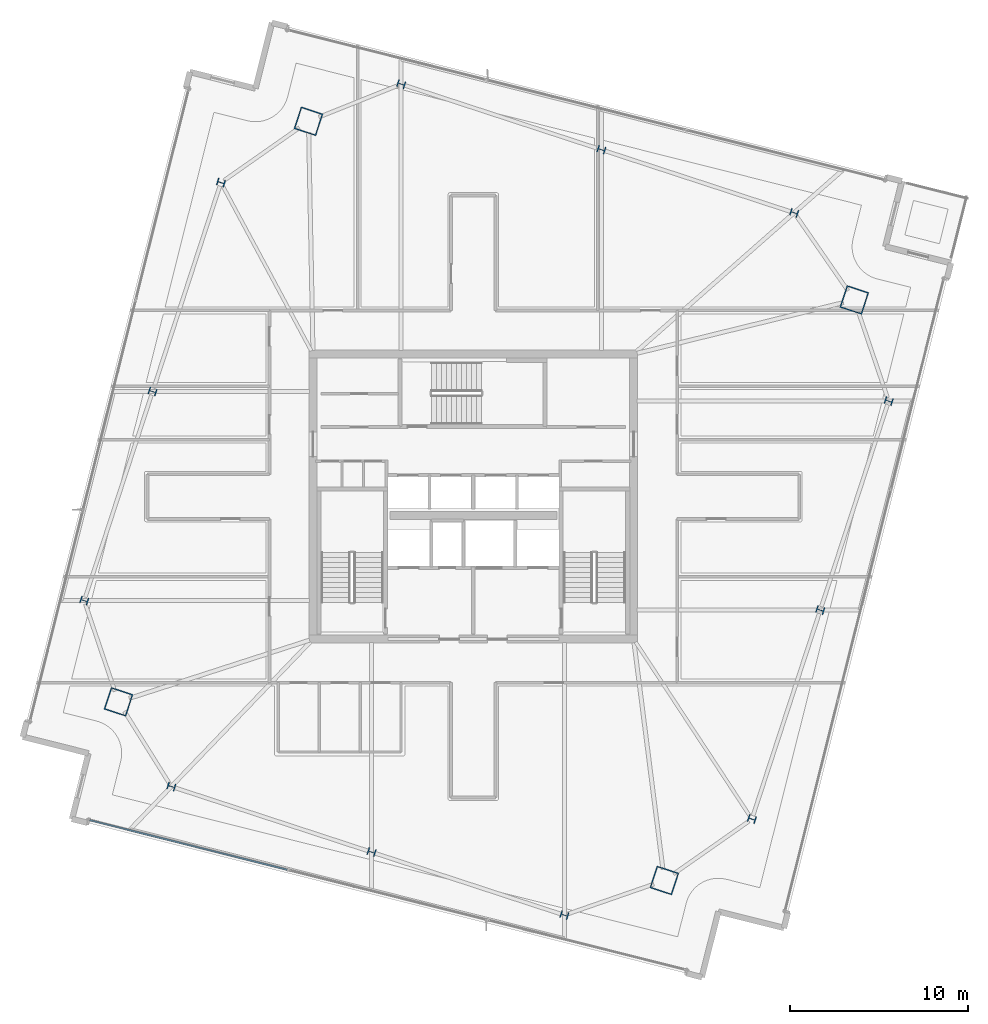
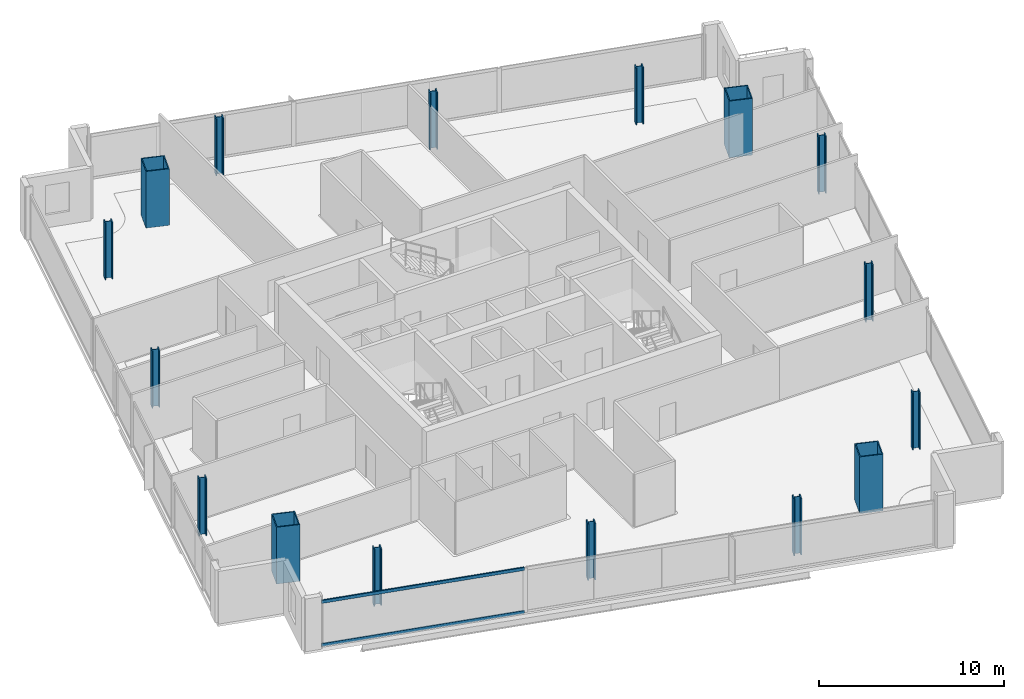
# One storey, part 1 of 28: 16 columns, 2 members, 1 element without a shape of its own.
"""IFC4 building model written with IfcOpenShell, lengths in metres."""

import ifcopenshell
import ifcopenshell.guid

model = None  # the IFC model being written
_history = None  # IfcOwnerHistory: only IFC2X3 demands one
_inside = {}  # id of a spatial element -> (the spatial element, [elements in it])
_under = {}  # id of a project, library or spatial element -> (it, [spatial elements below it])
_declared = {}  # id of a project -> (the project, [libraries it declares])
_typed = {}  # id of a type object -> (the type object, [elements of that type])
_made_of = {}  # id of a material, layer set ... -> (it, [elements and type objects made of it])


def new_model(schema):
    """Start an empty IFC model of exactly this schema.

    Asked for "IFC4X3", IfcOpenShell would pick the latest addendum, in which some entities
    have other attributes; the version numbers below select the first issue.
    IFC2X3 requires an IfcOwnerHistory on every rooted entity: one is made here for all.
    """
    global model, _history
    if schema == "IFC4X3":
        model = ifcopenshell.file(schema_version=(4, 3, 0, 0))
    else:
        model = ifcopenshell.file(schema=schema)
    _inside.clear()
    _under.clear()
    _declared.clear()
    _typed.clear()
    _made_of.clear()
    _history = None
    if model.schema == "IFC2X3":
        org = make("IfcOrganization", Name="unknown")
        user = make(
            "IfcPersonAndOrganization",
            ThePerson=make("IfcPerson", FamilyName="unknown"),
            TheOrganization=org,
        )
        app = make(
            "IfcApplication",
            ApplicationDeveloper=org,
            Version="unknown",
            ApplicationFullName="unknown",
            ApplicationIdentifier="unknown",
        )
        _history = make(
            "IfcOwnerHistory",
            OwningUser=user,
            OwningApplication=app,
            ChangeAction="ADDED",
            CreationDate=0,
        )
    return model


def make(cls, **values):
    """One entity of the class cls with the attributes given. An attribute that is None is left unset."""
    return model.create_entity(
        cls, **{name: value for name, value in values.items() if value is not None}
    )


def rooted(cls, **values):
    """An entity with a GlobalId (a new one), such as an element, a storey or a relation."""
    return make(cls, GlobalId=ifcopenshell.guid.new(), OwnerHistory=_history, **values)


def si_unit(unit_type, name, prefix=None):
    """IfcSIUnit, for example si_unit("LENGTHUNIT", "METRE", prefix="MILLI")."""
    return make("IfcSIUnit", UnitType=unit_type, Prefix=prefix, Name=name)


def assignment(units):
    """IfcUnitAssignment: the units of a project."""
    return None if units is None else make("IfcUnitAssignment", Units=units)


def point(xyz):
    """IfcCartesianPoint."""
    return None if xyz is None else make("IfcCartesianPoint", Coordinates=xyz)


def direction(xyz):
    """IfcDirection."""
    return None if xyz is None else make("IfcDirection", DirectionRatios=xyz)


def frame(location, z_axis=None, x_axis=None):
    """IfcAxis2Placement3D, a coordinate frame: its origin and axes. An axis left out is left unset."""
    return make(
        "IfcAxis2Placement3D",
        Location=point(location),
        Axis=direction(z_axis),
        RefDirection=direction(x_axis),
    )


def frame_2d(location, x_axis=None):
    """IfcAxis2Placement2D, a coordinate frame in the plane: its origin and x axis."""
    return make(
        "IfcAxis2Placement2D", Location=point(location), RefDirection=direction(x_axis)
    )


def origin():
    """The frame at (0, 0, 0) with its axes left unset."""
    return frame((0.0, 0.0, 0.0))


def origin_2d():
    """The frame at (0, 0) in the plane with its x axis left unset."""
    return frame_2d((0.0, 0.0))


def place(relative_to, where):
    """IfcLocalPlacement: puts the frame where relative to a parent placement (None: the world)."""
    return make(
        "IfcLocalPlacement", PlacementRelTo=relative_to, RelativePlacement=where
    )


def context(
    kind, dimensions, precision=None, world=None, true_north=None, identifier=None
):
    """IfcGeometricRepresentationContext, for example the 3D "Model" context."""
    return make(
        "IfcGeometricRepresentationContext",
        ContextIdentifier=identifier,
        ContextType=kind,
        CoordinateSpaceDimension=dimensions,
        Precision=precision,
        WorldCoordinateSystem=world,
        TrueNorth=true_north,
    )


def subcontext(parent, identifier, kind, view, scale=None):
    """IfcGeometricRepresentationSubContext, for example "Body" below "Model"."""
    return make(
        "IfcGeometricRepresentationSubContext",
        ContextIdentifier=identifier,
        ContextType=kind,
        ParentContext=parent,
        TargetScale=scale,
        TargetView=view,
    )


def project(units=None, contexts=None):
    """IfcProject with its units and contexts."""
    return rooted(
        "IfcProject",
        Name="project",
        RepresentationContexts=contexts,
        UnitsInContext=assignment(units),
    )


def spatial(cls, under=None, at=None, **own):
    """A site, building, storey or space (cls), placed at a placement, below another one or the project."""
    s = rooted(cls, ObjectPlacement=at, **own)
    if under is not None:
        _under.setdefault(under.id(), (under, []))[1].append(s)
    return s


def profile(cls, at=None, kind="AREA", **sizes):
    """A parametric profile (cls). Its sizes go by their IFC names, for example OverallWidth=200.0."""
    return make(cls, ProfileType=kind, Position=at, **sizes)


def hollow_rectangle(**sizes):
    """IfcRectangleHollowProfileDef."""
    return profile("IfcRectangleHollowProfileDef", **sizes)


def i_section(**sizes):
    """IfcIShapeProfileDef."""
    return profile("IfcIShapeProfileDef", **sizes)


def extrude(swept, where, along, depth):
    """IfcExtrudedAreaSolid: the profile swept, set in the frame where, extruded along a direction by depth."""
    return make(
        "IfcExtrudedAreaSolid",
        SweptArea=swept,
        Position=where,
        ExtrudedDirection=direction(along),
        Depth=depth,
    )


def shape(context_of_items, identifier, shape_type, items):
    """IfcShapeRepresentation: the items that make up one representation, for example the "Body"."""
    return make(
        "IfcShapeRepresentation",
        ContextOfItems=context_of_items,
        RepresentationIdentifier=identifier,
        RepresentationType=shape_type,
        Items=items,
    )


def material(Name=None, Category=None):
    """IfcMaterial."""
    return make("IfcMaterial", Name=Name, Category=Category)


def material_profile(
    of_material, cross_section, Name=None, Category=None, Priority=None
):
    """IfcMaterialProfile: a cross section and its material."""
    return make(
        "IfcMaterialProfile",
        Name=Name,
        Material=of_material,
        Profile=cross_section,
        Priority=Priority,
        Category=Category,
    )


def profile_set(profiles, Name=None, composite=None):
    """IfcMaterialProfileSet."""
    return make(
        "IfcMaterialProfileSet",
        Name=Name,
        MaterialProfiles=profiles,
        CompositeProfile=composite,
    )


def made_of(thing, what):
    """Note that an element or type object is made of a material, layer set ...; save() writes the relation."""
    if what is not None:
        _made_of.setdefault(what.id(), (what, []))[1].append(thing)
    return thing


def type_object(cls, material=None, **own):
    """A type object (cls), such as IfcWallType, which elements share."""
    return made_of(rooted(cls, **own), material)


def element(
    cls,
    number,
    at=None,
    inside=None,
    cuts=None,
    type_object=None,
    material=None,
    context=None,
    identifier="Body",
    shape_type=None,
    held_by="IfcProductDefinitionShape",
    body=None,
    shapes=None,
    **own,
):
    """One element of the class cls, such as IfcWall. Its Tag is "e" and its number.

    at: its placement. inside: the storey or other place that contains it. cuts: it is an
    opening in that element (IfcRelVoidsElement). A single representation is given by context,
    identifier, shape_type and body (its items); several are given by shapes. held_by: the class
    of the entity that holds the representations. save() writes the other relations.
    """
    e = rooted(cls, Tag="e%d" % number, ObjectPlacement=at, **own)
    if body is not None:
        shapes = [shape(context, identifier, shape_type, body)]
    if shapes is not None:
        e.Representation = make(held_by, Representations=shapes)
    if inside is not None:
        _inside.setdefault(inside.id(), (inside, []))[1].append(e)
    if cuts is not None:
        rooted(
            "IfcRelVoidsElement", RelatingBuildingElement=cuts, RelatedOpeningElement=e
        )
    if type_object is not None:
        _typed.setdefault(type_object.id(), (type_object, []))[1].append(e)
    return made_of(e, material)


def aggregate(whole, parts):
    """IfcRelAggregates: a whole, such as a stair, and the parts it consists of."""
    return rooted("IfcRelAggregates", RelatingObject=whole, RelatedObjects=parts)


def save(model, path):
    """Write the relations noted so far, then the file.

    IfcRelAggregates (storeys below a building ...), IfcRelContainedInSpatialStructure (elements
    in a storey), IfcRelDefinesByType, IfcRelAssociatesMaterial and IfcRelDeclares: one each for
    every whole, place, type object, material and project.
    """
    for whole, parts in _under.values():
        aggregate(whole, parts)
    for where, things in _inside.values():
        rooted(
            "IfcRelContainedInSpatialStructure",
            RelatedElements=things,
            RelatingStructure=where,
        )
    for kind, things in _typed.values():
        rooted("IfcRelDefinesByType", RelatedObjects=things, RelatingType=kind)
    for what, things in _made_of.values():
        rooted("IfcRelAssociatesMaterial", RelatedObjects=things, RelatingMaterial=what)
    for by, libraries in _declared.values():
        rooted("IfcRelDeclares", RelatingContext=by, RelatedDefinitions=libraries)
    model.write(path)


model = new_model("IFC4")

# Units and contexts
model_context = context("Model", 3, precision=1e-05, world=origin(), true_north=direction((0.0, 1.0)))
body_context = subcontext(model_context, "Body", "Model", "MODEL_VIEW")
ifc_project = project(units=[si_unit("LENGTHUNIT", "METRE"), si_unit("AREAUNIT", "SQUARE_METRE"), si_unit("VOLUMEUNIT", "CUBIC_METRE"), si_unit("PLANEANGLEUNIT", "RADIAN"), si_unit("MASSUNIT", "GRAM", prefix="KILO")], contexts=[model_context])

# Site, building, storey
site_placement = place(None, origin())
site = spatial("IfcSite", under=ifc_project, at=site_placement, CompositionType="ELEMENT")
building_placement = place(site_placement, origin())
building = spatial("IfcBuilding", under=site, at=building_placement, Name="Haldenkirk Collegiate Tower", CompositionType="ELEMENT")
storey_placement = place(building_placement, frame((0.0, 0.0, 282.449951171875)))
storey = spatial("IfcBuildingStorey", under=building, at=storey_placement, Name="L71", CompositionType="ELEMENT", Elevation=282.449951171875)

# Columns
ifc_material_1 = material(Name="Steel ASTM A913 Grade 65", Category="steel")
ifc_material_profile_1 = material_profile(ifc_material_1, i_section(OverallWidth=0.416015625, OverallDepth=0.445068359375, WebThickness=0.0390625, FlangeThickness=0.062744140625, at=origin_2d()), Name="W14X342")
ifc_profile_set_1 = profile_set([ifc_material_profile_1], Name="Steel ASTM A913 Grade 65")
column_type_1 = type_object("IfcColumnType", Name="COL-INT-W14X342", PredefinedType="COLUMN", material=ifc_profile_set_1)
for number, where, z_axis, x_axis, name in (
    (1, (51.64306640625, 7.888671875, 0.0), (0.0, 0.0, 1.0), (0.311008203279, 0.950407227189, 0.0), "L71 perimeter gravity column PC-S1"),
    (2, (55.4833984375, 19.624267578125, 0.0), (0.0, 0.0, 1.0), (0.311008203279, 0.950407227189, 0.0), "L71 perimeter gravity column PC-S2"),
    (3, (59.32373046875, 31.360107421875, 0.0), (0.0, 0.0, 1.0), (0.311008203279, 0.950407227189, 0.0), "L71 perimeter gravity column PC-S3"),
    (4, (54.01806640625, 41.9365234375, 0.0), (0.0, 0.0, 1.0), (0.311008203279, 0.950407227189, 0.0), "L71 perimeter gravity column PC-E1"),
    (5, (43.18994140625, 45.47998046875, 0.0), (0.0, 0.0, 1.0), (0.311008203279, 0.950407227189, 0.0), "L71 perimeter gravity column PC-E2"),
    (6, (31.949462890625, 49.158203125, 0.0), (0.0, 0.0, 1.0), (0.311008203279, 0.950407227189, 0.0), "L71 perimeter gravity column PC-E3"),
    (7, (21.830078125, 43.629150390625, 0.0), (0.0, 0.0, 1.0), (0.311008203279, 0.950407227189, 0.0), "L71 perimeter gravity column PC-N1"),
    (8, (17.98974609375, 31.8935546875, 0.0), (0.0, 0.0, 1.0), (0.311008203279, 0.950407227189, 0.0), "L71 perimeter gravity column PC-N2"),
    (9, (14.1494140625, 20.157958984375, 0.0), (0.0, 0.0, 1.0), (0.311008203279, 0.950407227189, 0.0), "L71 perimeter gravity column PC-N3"),
    (10, (19.042724609375, 9.71630859375, 0.0), (0.0, 0.0, 1.0), (0.311008203279, 0.950407227189, 0.0), "L71 perimeter gravity column PC-W1"),
    (11, (30.283203125, 6.0380859375, 0.0), (0.0, 0.0, 1.0), (0.311008203279, 0.950407227189, 0.0), "L71 perimeter gravity column PC-W2"),
    (12, (41.111083984375, 2.49462890625, 0.0), (0.0, 0.0, 1.0), (0.311008203279, 0.950407227189, 0.0), "L71 perimeter gravity column PC-W3"),
):
    element("IfcColumn", number, at=place(storey_placement, frame(where, z_axis=z_axis, x_axis=x_axis)), inside=storey, type_object=column_type_1, Name=name, PredefinedType="COLUMN", context=body_context, shape_type="SweptSolid", body=[
        extrude(i_section(OverallWidth=0.416015625, OverallDepth=0.445068359375, WebThickness=0.0390625, FlangeThickness=0.062744140625, at=origin_2d()), origin(), (0.0, 0.0, 1.0), 3.75),
    ])
ifc_material_2 = material(Name="Steel ASTM A572 Grade 50", Category="steel")
ifc_material_profile_2 = material_profile(ifc_material_2, hollow_rectangle(XDim=1.300048828125, YDim=1.300048828125, WallThickness=0.06005859375, at=origin_2d()), Name="BOX1300X1300X60")
ifc_profile_set_2 = profile_set([ifc_material_profile_2], Name="Steel ASTM A572 Grade 50")
column_type_2 = type_object("IfcColumnType", Name="COL-MEGA-BOX1300X1300X60", PredefinedType="COLUMN", material=ifc_profile_set_2)
for number, where, z_axis, x_axis, name in (
    (13, (46.72802734375, 4.444580078125, 0.0), (0.0, 0.0, 1.0), (0.311008203279, 0.950407227189, 0.0), "L71 corner mega-column MC1"),
    (14, (57.395751953125, 37.04345703125, 0.0), (0.0, 0.0, 1.0), (0.311008203279, 0.950407227189, 0.0), "L71 corner mega-column MC2"),
    (15, (26.7451171875, 47.073486328125, 0.0), (0.0, 0.0, 1.0), (0.311008203279, 0.950407227189, 0.0), "L71 corner mega-column MC3"),
    (16, (16.077392578125, 14.474609375, 0.0), (0.0, 0.0, 1.0), (0.311008203279, 0.950407227189, 0.0), "L71 corner mega-column MC4"),
):
    element("IfcColumn", number, at=place(storey_placement, frame(where, z_axis=z_axis, x_axis=x_axis)), inside=storey, type_object=column_type_2, Name=name, PredefinedType="COLUMN", context=body_context, shape_type="SweptSolid", body=[
        extrude(hollow_rectangle(XDim=1.300048828125, YDim=1.300048828125, WallThickness=0.06005859375, at=origin_2d()), origin(), (0.0, 0.0, 1.0), 3.75),
    ])

# Curtain wall, members
ifc_material_3 = material(Name="Anodised architectural bronze aluminium", Category="aluminium")
curtain_wall_type = type_object("IfcCurtainWallType", Name="CW-SYS1B-CONVEX-HI", PredefinedType="USERDEFINED", material=ifc_material_3)
curtain_wall_placement = place(storey_placement, origin())
curtain_wall = element("IfcCurtainWall", 17, at=curtain_wall_placement, inside=storey, type_object=curtain_wall_type, Name="L71 Upper tower high-wind convex bronze unitised curtain wall", ObjectType="UNITISED CURTAIN WALL", PredefinedType="USERDEFINED")
ifc_material_profile_3 = material_profile(ifc_material_3, hollow_rectangle(XDim=0.0849609375, YDim=0.199951171875, WallThickness=0.0048828125, at=origin_2d()), Name="CW-TRN-1B")
ifc_profile_set_3 = profile_set([ifc_material_profile_3], Name="Anodised architectural bronze aluminium")
member_type = type_object("IfcMemberType", Name="CW-TRN-1B", PredefinedType="USERDEFINED", material=ifc_profile_set_3)
member_1_placement = place(storey_placement, frame((25.546142578125, 5.04541015625, 0.04248046875), z_axis=(-0.969873042791, 0.243610921076, 0.0), x_axis=(-0.243610921076, -0.969873042791, 0.0)))
member_1 = element("IfcMember", 18, at=member_1_placement, type_object=member_type, Name="CW-1B transom 3.1", ObjectType="TRANSOM", PredefinedType="USERDEFINED", context=body_context, shape_type="SweptSolid", body=[
    extrude(hollow_rectangle(XDim=0.0849609375, YDim=0.199951171875, WallThickness=0.0048828125, at=origin_2d()), origin(), (0.0, 0.0, 1.0), 11.430908203125),
])
member_2_placement = place(storey_placement, frame((25.546142578125, 5.04541015625, 2.8955078125), z_axis=(-0.969873042791, 0.243610921076, 0.0), x_axis=(-0.243610921076, -0.969873042791, 0.0)))
member_2 = element("IfcMember", 19, at=member_2_placement, type_object=member_type, Name="CW-1B transom 3.2", ObjectType="TRANSOM", PredefinedType="USERDEFINED", context=body_context, shape_type="SweptSolid", body=[
    extrude(hollow_rectangle(XDim=0.0849609375, YDim=0.199951171875, WallThickness=0.0048828125, at=origin_2d()), origin(), (0.0, 0.0, 1.0), 11.430908203125),
])
aggregate(curtain_wall, [member_1, member_2])

save(model, "model.ifc")
